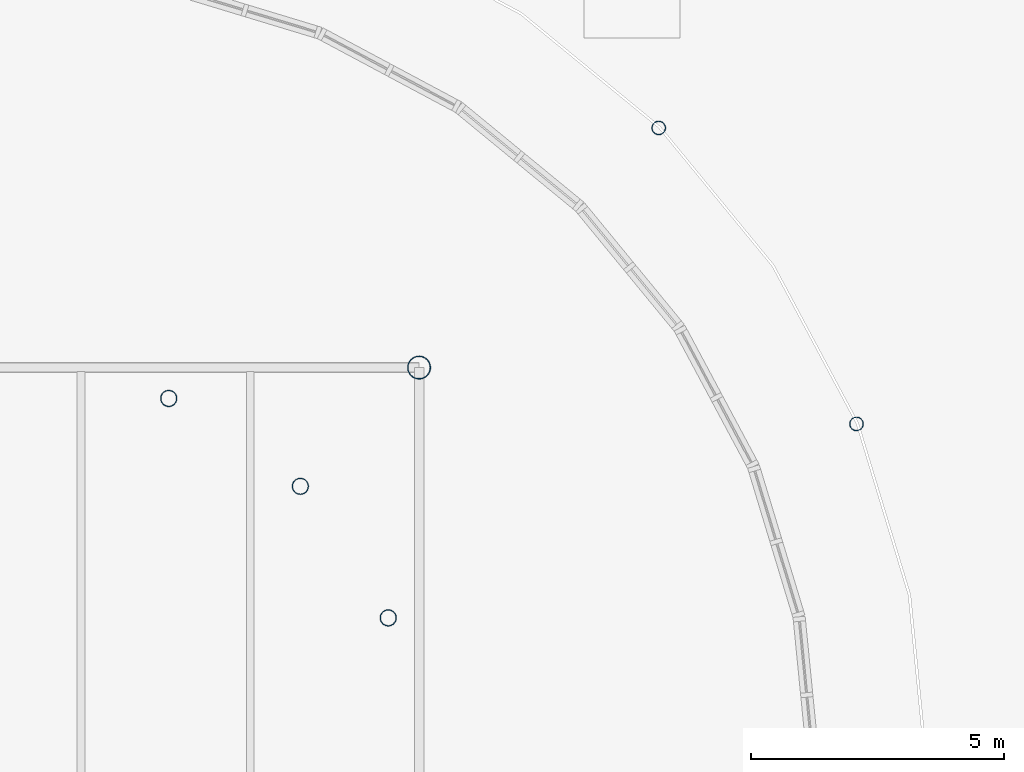
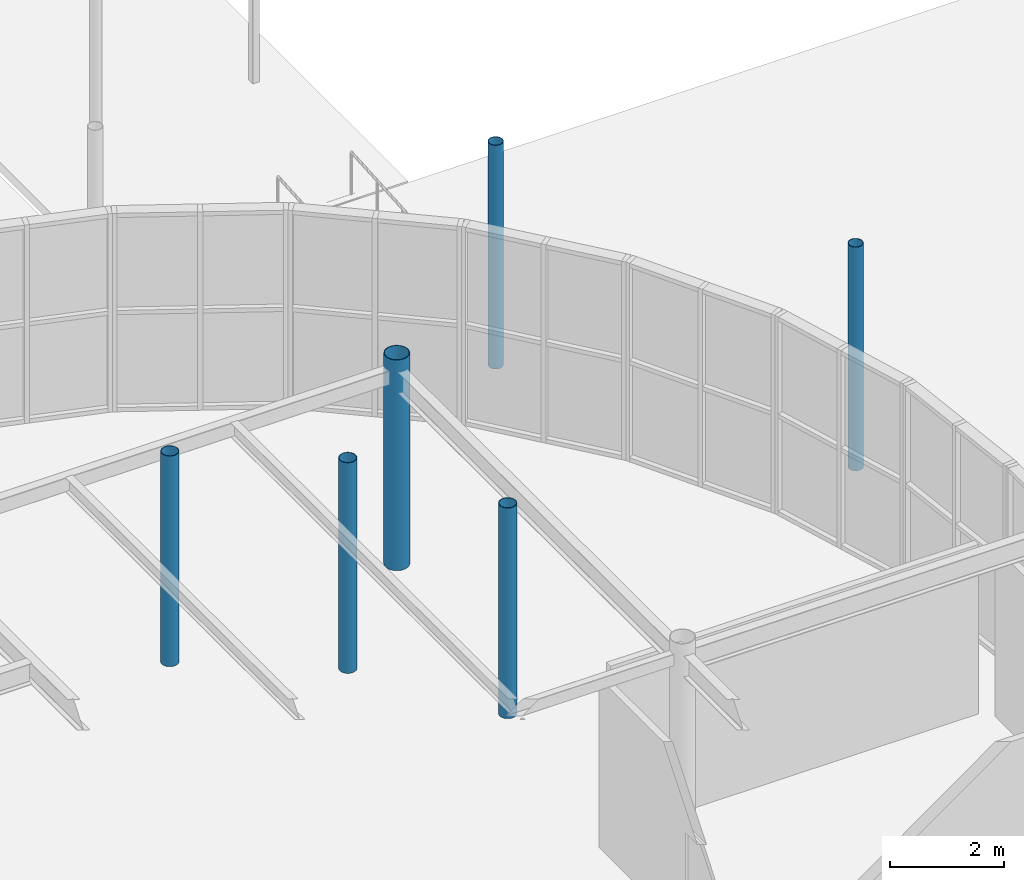
# One storey, part 31 of 119: 6 columns.
"""IFC4 building model written with IfcOpenShell, lengths in metres."""

from ifc_helpers import new_model, si_unit, derived_unit, direction, frame, origin, origin_2d_with_axis, place, context, subcontext, project, spatial, hollow_circle, extrude, material, material_profile, profile_set, type_object, element, save


model = new_model("IFC4")

# Units and contexts
model_context = context("Model", 3, precision=1e-05, world=origin(), true_north=direction((0.0, 1.0)))
body_context = subcontext(model_context, "Body", "Model", "MODEL_VIEW")
ifc_project = project(units=[si_unit("LENGTHUNIT", "METRE"), si_unit("AREAUNIT", "SQUARE_METRE"), si_unit("VOLUMEUNIT", "CUBIC_METRE"), si_unit("PLANEANGLEUNIT", "RADIAN"), si_unit("MASSUNIT", "GRAM", prefix="KILO"), derived_unit("THERMALTRANSMITTANCEUNIT", [(si_unit("POWERUNIT", "WATT"), 1), (si_unit("LENGTHUNIT", "METRE"), -2), (si_unit("THERMODYNAMICTEMPERATUREUNIT", "KELVIN"), -1)])], contexts=[model_context])

# Site, building, storey
site_placement = place(None, origin())
site = spatial("IfcSite", under=ifc_project, at=site_placement, CompositionType="ELEMENT")
building_placement = place(site_placement, origin())
building = spatial("IfcBuilding", under=site, at=building_placement, Name="Cinnabar Yard Market Hall", CompositionType="ELEMENT")
storey_placement = place(building_placement, origin())
storey = spatial("IfcBuildingStorey", under=building, at=storey_placement, Name="L00", CompositionType="ELEMENT", Elevation=0.0)

# Columns
ifc_material = material(Name="Spotted-gum glulam-clad steel Grade 350 (350 MPa)", Category="steel")
ifc_material_profile_1 = material_profile(ifc_material, hollow_circle(Radius=0.228515625, WallThickness=0.0126953125, at=origin_2d_with_axis()), Name="457.0x12.7CHS")
ifc_profile_set_1 = profile_set([ifc_material_profile_1], Name="Spotted-gum glulam-clad steel Grade 350 (350 MPa)")
column_type_1 = type_object("IfcColumnType", Name="COL-C01", PredefinedType="COLUMN", material=ifc_profile_set_1)
column_placement = place(storey_placement, frame((156.0, 64.0, 0.0), z_axis=(0.0, 0.0, 1.0), x_axis=(1.0, 0.0, 0.0)))
element("IfcColumn", 1, at=column_placement, inside=storey, type_object=column_type_1, Name="Tree Column V1I-09-05 L00", PredefinedType="COLUMN", context=body_context, shape_type="SweptSolid", body=[
    extrude(hollow_circle(Radius=0.228515625, WallThickness=0.0126953125, at=origin_2d_with_axis()), origin(), (0.0, 0.0, 1.0), 4.5),
])
ifc_material_profile_2 = material_profile(ifc_material, hollow_circle(Radius=0.161865234375, WallThickness=0.009521484375, at=origin_2d_with_axis()), Name="323.9x9.5CHS")
ifc_profile_set_2 = profile_set([ifc_material_profile_2], Name="Spotted-gum glulam-clad steel Grade 350 (350 MPa)")
column_type_2 = type_object("IfcColumnType", Name="COL-C03", PredefinedType="COLUMN", material=ifc_profile_set_2)
for number, where, z_axis, x_axis, name in (
    (2, (155.39111328125, 59.0615234375, 0.0), (0.0, 0.0, 1.0), (1.0, 0.0, 0.0), "Tree Column V1IC-NE2 L00"),
    (3, (153.656982421875, 61.656982421875, 0.0), (0.0, 0.0, 1.0), (1.0, 0.0, 0.0), "Tree Column V1IC-NE4 L00"),
    (4, (151.0615234375, 63.39111328125, 0.0), (0.0, 0.0, 1.0), (1.0, 0.0, 0.0), "Tree Column V1IC-NE6 L00"),
):
    element("IfcColumn", number, at=place(storey_placement, frame(where, z_axis=z_axis, x_axis=x_axis)), inside=storey, type_object=column_type_2, Name=name, PredefinedType="COLUMN", context=body_context, shape_type="SweptSolid", body=[
        extrude(hollow_circle(Radius=0.161865234375, WallThickness=0.009521484375, at=origin_2d_with_axis()), origin(), (0.0, 0.0, 1.0), 4.5),
    ])
ifc_material_profile_3 = material_profile(ifc_material, hollow_circle(Radius=0.136474609375, WallThickness=0.00927734375, at=origin_2d_with_axis()), Name="273.1x9.3CHS")
ifc_profile_set_3 = profile_set([ifc_material_profile_3], Name="Spotted-gum glulam-clad steel Grade 350 (350 MPa)")
column_type_3 = type_object("IfcColumnType", Name="COL-C04E", PredefinedType="COLUMN", material=ifc_profile_set_3)
for number, where, z_axis, x_axis, name in (
    (5, (164.6298828125, 62.88818359375, -0.280029296875), (0.0, 0.0, 1.0), (1.0, 0.0, 0.0), "Tree Column V1C-NE2 L00"),
    (6, (160.727783203125, 68.727783203125, -0.280029296875), (0.0, 0.0, 1.0), (1.0, 0.0, 0.0), "Tree Column V1C-NE4 L00"),
):
    element("IfcColumn", number, at=place(storey_placement, frame(where, z_axis=z_axis, x_axis=x_axis)), inside=storey, type_object=column_type_3, Name=name, PredefinedType="COLUMN", context=body_context, shape_type="SweptSolid", body=[
        extrude(hollow_circle(Radius=0.136474609375, WallThickness=0.00927734375, at=origin_2d_with_axis()), origin(), (0.0, 0.0, 1.0), 4.780029296875),
    ])

save(model, "model.ifc")
